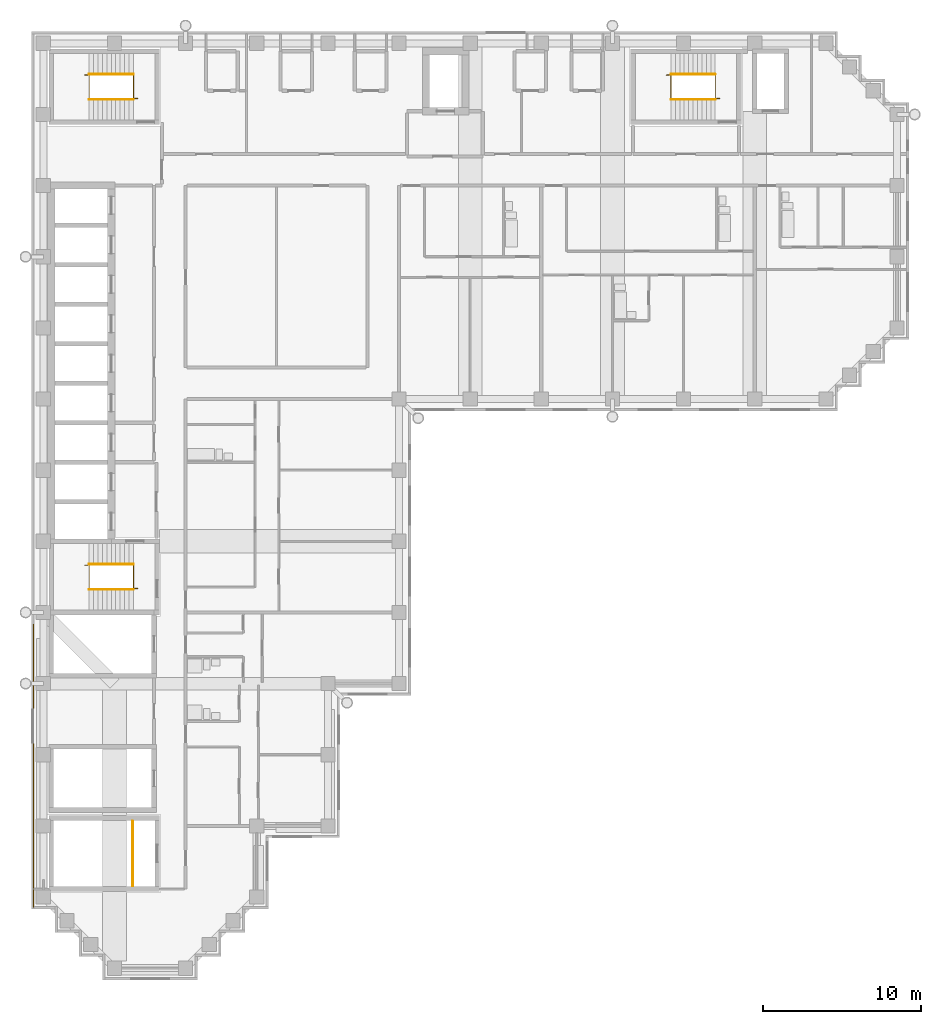
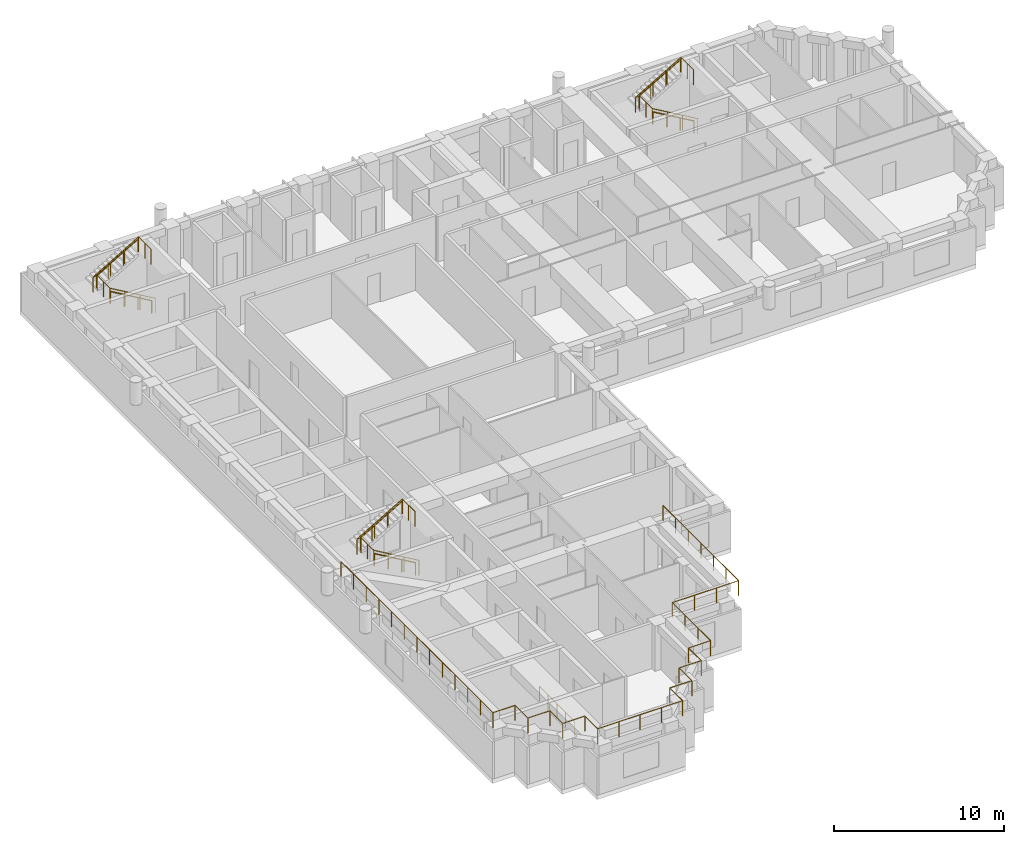
# One storey, part 10 of 11: 11 railings.
"""IFC4 building model written with IfcOpenShell, lengths in metres."""

from ifc_helpers import new_model, si_unit, direction, frame, origin, origin_2d, place, context, subcontext, project, spatial, circle, extrude, material, type_object, element, save


model = new_model("IFC4")

# Units and contexts
model_context = context("Model", 3, precision=1e-05, world=origin(), true_north=direction((0.0, 1.0)))
body_context = subcontext(model_context, "Body", "Model", "MODEL_VIEW")
ifc_project = project(units=[si_unit("LENGTHUNIT", "METRE"), si_unit("AREAUNIT", "SQUARE_METRE"), si_unit("VOLUMEUNIT", "CUBIC_METRE"), si_unit("PLANEANGLEUNIT", "RADIAN"), si_unit("MASSUNIT", "GRAM", prefix="KILO")], contexts=[model_context])

# Site, building, storey
site_placement = place(None, origin())
site = spatial("IfcSite", under=ifc_project, at=site_placement, CompositionType="ELEMENT")
building_placement = place(site_placement, origin())
building = spatial("IfcBuilding", under=site, at=building_placement, Name="Firuza Court", CompositionType="ELEMENT")
storey_placement = place(building_placement, frame((0.0, 0.0, 207.800048828125)))
storey = spatial("IfcBuildingStorey", under=building, at=storey_placement, Name="L53", CompositionType="ELEMENT", Elevation=207.800048828125)

# Railings
ifc_material_1 = material(Name="Steel S355", Category="steel")
railing_type_1 = type_object("IfcRailingType", Name="Handrail 900", PredefinedType="HANDRAIL", material=ifc_material_1)
railing_1_placement = place(storey_placement, frame((42.5, 54.949951171875, 0.16357421875)))
element("IfcRailing", 1, at=railing_1_placement, inside=storey, type_object=railing_type_1, Name="Handrail S1 flight 1", PredefinedType="HANDRAIL", context=body_context, shape_type="SweptSolid", body=[
    extrude(circle(Radius=0.02490234375, at=origin_2d()), frame((0.0, 0.0, 0.875), z_axis=(-0.863360870873, 0.0, 0.504586966384), x_axis=(0.0, -1.0, 0.0)), (0.0, 0.0, 1.0), 3.2431640625),
    extrude(circle(Radius=0.02001953125, at=origin_2d()), origin(), (0.0, 0.0, 1.0), 0.849853515625),
    extrude(circle(Radius=0.02001953125, at=origin_2d()), frame((-0.933349609375, 0.0, 0.54541015625)), (0.0, 0.0, 1.0), 0.849853515625),
    extrude(circle(Radius=0.02001953125, at=origin_2d()), frame((-1.86669921875, 0.0, 1.091064453125)), (0.0, 0.0, 1.0), 0.849853515625),
    extrude(circle(Radius=0.02001953125, at=origin_2d()), frame((-2.800048828125, 0.0, 1.636474609375)), (0.0, 0.0, 1.0), 0.849853515625),
])
railing_2_placement = place(storey_placement, frame((39.699951171875, 56.550048828125, 1.963623046875)))
element("IfcRailing", 2, at=railing_2_placement, inside=storey, type_object=railing_type_1, Name="Handrail S1 flight 2", PredefinedType="HANDRAIL", context=body_context, shape_type="SweptSolid", body=[
    extrude(circle(Radius=0.02490234375, at=origin_2d()), frame((0.0, 0.0, 0.875), z_axis=(0.863393664356, 0.0, 0.504530851732), x_axis=(0.0, 1.0, 0.0)), (0.0, 0.0, 1.0), 3.2431640625),
    extrude(circle(Radius=0.02001953125, at=origin_2d()), origin(), (0.0, 0.0, 1.0), 0.849853515625),
    extrude(circle(Radius=0.02001953125, at=origin_2d()), frame((0.933349609375, 0.0, 0.54541015625)), (0.0, 0.0, 1.0), 0.849853515625),
    extrude(circle(Radius=0.02001953125, at=origin_2d()), frame((1.86669921875, 0.0, 1.0908203125)), (0.0, 0.0, 1.0), 0.849853515625),
    extrude(circle(Radius=0.02001953125, at=origin_2d()), frame((2.800048828125, 0.0, 1.63623046875)), (0.0, 0.0, 1.0), 0.849853515625),
])
railing_3_placement = place(storey_placement, frame((5.699951171875, 23.949951171875, 0.16357421875)))
element("IfcRailing", 3, at=railing_3_placement, inside=storey, type_object=railing_type_1, Name="Handrail S2 flight 1", PredefinedType="HANDRAIL", context=body_context, shape_type="SweptSolid", body=[
    extrude(circle(Radius=0.02490234375, at=origin_2d()), frame((0.0, 0.0, 0.875), z_axis=(-0.863360870873, 0.0, 0.504586966384), x_axis=(0.0, -1.0, 0.0)), (0.0, 0.0, 1.0), 3.2431640625),
    extrude(circle(Radius=0.02001953125, at=origin_2d()), origin(), (0.0, 0.0, 1.0), 0.849853515625),
    extrude(circle(Radius=0.02001953125, at=origin_2d()), frame((-0.933349609375, 0.0, 0.54541015625)), (0.0, 0.0, 1.0), 0.849853515625),
    extrude(circle(Radius=0.02001953125, at=origin_2d()), frame((-1.86669921875, 0.0, 1.091064453125)), (0.0, 0.0, 1.0), 0.849853515625),
    extrude(circle(Radius=0.02001953125, at=origin_2d()), frame((-2.800048828125, 0.0, 1.636474609375)), (0.0, 0.0, 1.0), 0.849853515625),
])
railing_4_placement = place(storey_placement, frame((2.89990234375, 25.550048828125, 1.963623046875)))
element("IfcRailing", 4, at=railing_4_placement, inside=storey, type_object=railing_type_1, Name="Handrail S2 flight 2", PredefinedType="HANDRAIL", context=body_context, shape_type="SweptSolid", body=[
    extrude(circle(Radius=0.02490234375, at=origin_2d()), frame((0.0, 0.0, 0.875), z_axis=(0.863393664356, 0.0, 0.504530851732), x_axis=(0.0, 1.0, 0.0)), (0.0, 0.0, 1.0), 3.2431640625),
    extrude(circle(Radius=0.02001953125, at=origin_2d()), origin(), (0.0, 0.0, 1.0), 0.849853515625),
    extrude(circle(Radius=0.02001953125, at=origin_2d()), frame((0.933349609375, 0.0, 0.54541015625)), (0.0, 0.0, 1.0), 0.849853515625),
    extrude(circle(Radius=0.02001953125, at=origin_2d()), frame((1.86669921875, 0.0, 1.0908203125)), (0.0, 0.0, 1.0), 0.849853515625),
    extrude(circle(Radius=0.02001953125, at=origin_2d()), frame((2.800048828125, 0.0, 1.63623046875)), (0.0, 0.0, 1.0), 0.849853515625),
])
railing_5_placement = place(storey_placement, frame((5.699951171875, 54.949951171875, 0.16357421875)))
element("IfcRailing", 5, at=railing_5_placement, inside=storey, type_object=railing_type_1, Name="Handrail S3 flight 1", PredefinedType="HANDRAIL", context=body_context, shape_type="SweptSolid", body=[
    extrude(circle(Radius=0.02490234375, at=origin_2d()), frame((0.0, 0.0, 0.875), z_axis=(-0.863360870873, 0.0, 0.504586966384), x_axis=(0.0, -1.0, 0.0)), (0.0, 0.0, 1.0), 3.2431640625),
    extrude(circle(Radius=0.02001953125, at=origin_2d()), origin(), (0.0, 0.0, 1.0), 0.849853515625),
    extrude(circle(Radius=0.02001953125, at=origin_2d()), frame((-0.933349609375, 0.0, 0.54541015625)), (0.0, 0.0, 1.0), 0.849853515625),
    extrude(circle(Radius=0.02001953125, at=origin_2d()), frame((-1.86669921875, 0.0, 1.091064453125)), (0.0, 0.0, 1.0), 0.849853515625),
    extrude(circle(Radius=0.02001953125, at=origin_2d()), frame((-2.800048828125, 0.0, 1.636474609375)), (0.0, 0.0, 1.0), 0.849853515625),
])
railing_6_placement = place(storey_placement, frame((2.89990234375, 56.550048828125, 1.963623046875)))
element("IfcRailing", 6, at=railing_6_placement, inside=storey, type_object=railing_type_1, Name="Handrail S3 flight 2", PredefinedType="HANDRAIL", context=body_context, shape_type="SweptSolid", body=[
    extrude(circle(Radius=0.02490234375, at=origin_2d()), frame((0.0, 0.0, 0.875), z_axis=(0.863393664356, 0.0, 0.504530851732), x_axis=(0.0, 1.0, 0.0)), (0.0, 0.0, 1.0), 3.2431640625),
    extrude(circle(Radius=0.02001953125, at=origin_2d()), origin(), (0.0, 0.0, 1.0), 0.849853515625),
    extrude(circle(Radius=0.02001953125, at=origin_2d()), frame((0.933349609375, 0.0, 0.54541015625)), (0.0, 0.0, 1.0), 0.849853515625),
    extrude(circle(Radius=0.02001953125, at=origin_2d()), frame((1.86669921875, 0.0, 1.0908203125)), (0.0, 0.0, 1.0), 0.849853515625),
    extrude(circle(Radius=0.02001953125, at=origin_2d()), frame((2.800048828125, 0.0, 1.63623046875)), (0.0, 0.0, 1.0), 0.849853515625),
])
ifc_material_2 = material(Name="Steel S355", Category="steel")
railing_type_2 = type_object("IfcRailingType", Name="Stair guard 1100", PredefinedType="GUARDRAIL", material=ifc_material_2)
railing_7_placement = place(storey_placement, frame((5.64990234375, 5.199951171875, 0.0)))
element("IfcRailing", 7, at=railing_7_placement, inside=storey, type_object=railing_type_2, Name="Stair guard S5", PredefinedType="GUARDRAIL", context=body_context, shape_type="SweptSolid", body=[
    extrude(circle(Radius=0.02490234375, at=origin_2d()), frame((0.0, 0.0, 1.0751953125), z_axis=(0.0, 1.0, 0.0), x_axis=(-1.0, 0.0, 0.0)), (0.0, 0.0, 1.0), 4.10009765625),
    extrude(circle(Radius=0.02490234375, at=origin_2d()), origin(), (0.0, 0.0, 1.0), 1.050048828125),
    extrude(circle(Radius=0.02490234375, at=origin_2d()), frame((0.0, 1.02490234375, 0.0)), (0.0, 0.0, 1.0), 1.050048828125),
    extrude(circle(Radius=0.02490234375, at=origin_2d()), frame((0.0, 2.050048828125, 0.0)), (0.0, 0.0, 1.0), 1.050048828125),
    extrude(circle(Radius=0.02490234375, at=origin_2d()), frame((0.0, 3.0751953125, 0.0)), (0.0, 0.0, 1.0), 1.050048828125),
    extrude(circle(Radius=0.02490234375, at=origin_2d()), frame((0.0, 4.10009765625, 0.0)), (0.0, 0.0, 1.0), 1.050048828125),
])
railing_8_placement = place(storey_placement, frame((42.780029296875, 55.010009765625, 0.0)))
element("IfcRailing", 8, at=railing_8_placement, inside=storey, type_object=railing_type_2, Name="Stair well guard S1", PredefinedType="GUARDRAIL", context=body_context, shape_type="SweptSolid", body=[
    extrude(circle(Radius=0.02490234375, at=origin_2d()), frame((0.0, 0.0, 1.0751953125), z_axis=(-0.863371556955, 0.0, 0.504568681787), x_axis=(0.0, -1.0, 0.0)), (0.0, 0.0, 1.0), 3.5673828125),
    extrude(circle(Radius=0.02490234375, at=origin_2d()), frame((-3.080078125, 0.0, 2.875), z_axis=(0.0, 1.0, 0.0), x_axis=(-1.0, 0.0, 0.0)), (0.0, 0.0, 1.0), 1.47998046875),
    extrude(circle(Radius=0.02490234375, at=origin_2d()), frame((-3.080078125, 1.47998046875, 2.875), z_axis=(-1.0, 0.0, 0.0), x_axis=(0.0, -1.0, 0.0)), (0.0, 0.0, 1.0), 0.280029296875),
    extrude(circle(Radius=0.02490234375, at=origin_2d()), frame((-3.360107421875, 1.47998046875, 2.875), z_axis=(0.863401368682, 0.0, 0.504517667242), x_axis=(0.0, 1.0, 0.0)), (0.0, 0.0, 1.0), 3.5673828125),
    extrude(circle(Radius=0.02490234375, at=origin_2d()), frame((-0.280029296875, 1.47998046875, 4.6748046875), z_axis=(0.0, -1.0, 0.0), x_axis=(1.0, 0.0, 0.0)), (0.0, 0.0, 1.0), 1.47998046875),
    extrude(circle(Radius=0.02490234375, at=origin_2d()), origin(), (0.0, 0.0, 1.0), 1.050048828125),
    extrude(circle(Radius=0.02490234375, at=origin_2d()), frame((-1.026611328125, 0.0, 0.60009765625)), (0.0, 0.0, 1.0), 1.050048828125),
    extrude(circle(Radius=0.02490234375, at=origin_2d()), frame((-2.053466796875, 0.0, 1.199951171875)), (0.0, 0.0, 1.0), 1.050048828125),
    extrude(circle(Radius=0.02490234375, at=origin_2d()), frame((-3.080078125, 0.0, 1.800048828125)), (0.0, 0.0, 1.0), 1.050048828125),
    extrude(circle(Radius=0.02490234375, at=origin_2d()), frame((-3.080078125, 0.739990234375, 1.800048828125)), (0.0, 0.0, 1.0), 1.050048828125),
    extrude(circle(Radius=0.02490234375, at=origin_2d()), frame((-3.080078125, 1.47998046875, 1.800048828125)), (0.0, 0.0, 1.0), 1.050048828125),
    extrude(circle(Radius=0.02490234375, at=origin_2d()), frame((-3.360107421875, 1.47998046875, 1.800048828125)), (0.0, 0.0, 1.0), 1.050048828125),
    extrude(circle(Radius=0.02490234375, at=origin_2d()), frame((-2.33349609375, 1.47998046875, 2.39990234375)), (0.0, 0.0, 1.0), 1.050048828125),
    extrude(circle(Radius=0.02490234375, at=origin_2d()), frame((-1.306640625, 1.47998046875, 3.0)), (0.0, 0.0, 1.0), 1.050048828125),
    extrude(circle(Radius=0.02490234375, at=origin_2d()), frame((-0.280029296875, 1.47998046875, 3.599853515625)), (0.0, 0.0, 1.0), 1.050048828125),
    extrude(circle(Radius=0.02490234375, at=origin_2d()), frame((-0.280029296875, 0.739990234375, 3.599853515625)), (0.0, 0.0, 1.0), 1.050048828125),
    extrude(circle(Radius=0.02490234375, at=origin_2d()), frame((-0.280029296875, 0.0, 3.599853515625)), (0.0, 0.0, 1.0), 1.050048828125),
])
railing_9_placement = place(storey_placement, frame((5.97998046875, 24.010009765625, 0.0)))
element("IfcRailing", 9, at=railing_9_placement, inside=storey, type_object=railing_type_2, Name="Stair well guard S2", PredefinedType="GUARDRAIL", context=body_context, shape_type="SweptSolid", body=[
    extrude(circle(Radius=0.02490234375, at=origin_2d()), frame((0.0, 0.0, 1.0751953125), z_axis=(-0.863371556955, 0.0, 0.504568681787), x_axis=(0.0, -1.0, 0.0)), (0.0, 0.0, 1.0), 3.5673828125),
    extrude(circle(Radius=0.02490234375, at=origin_2d()), frame((-3.080078125, 0.0, 2.875), z_axis=(0.0, 1.0, 0.0), x_axis=(-1.0, 0.0, 0.0)), (0.0, 0.0, 1.0), 1.47998046875),
    extrude(circle(Radius=0.02490234375, at=origin_2d()), frame((-3.080078125, 1.47998046875, 2.875), z_axis=(-1.0, 0.0, 0.0), x_axis=(0.0, -1.0, 0.0)), (0.0, 0.0, 1.0), 0.27978515625),
    extrude(circle(Radius=0.02490234375, at=origin_2d()), frame((-3.35986328125, 1.47998046875, 2.875), z_axis=(0.863383947312, 0.0, 0.504547479951), x_axis=(0.0, 1.0, 0.0)), (0.0, 0.0, 1.0), 3.567138671875),
    extrude(circle(Radius=0.02490234375, at=origin_2d()), frame((-0.280029296875, 1.47998046875, 4.6748046875), z_axis=(0.0, -1.0, 0.0), x_axis=(1.0, 0.0, 0.0)), (0.0, 0.0, 1.0), 1.47998046875),
    extrude(circle(Radius=0.02490234375, at=origin_2d()), origin(), (0.0, 0.0, 1.0), 1.050048828125),
    extrude(circle(Radius=0.02490234375, at=origin_2d()), frame((-1.026611328125, 0.0, 0.60009765625)), (0.0, 0.0, 1.0), 1.050048828125),
    extrude(circle(Radius=0.02490234375, at=origin_2d()), frame((-2.053466796875, 0.0, 1.199951171875)), (0.0, 0.0, 1.0), 1.050048828125),
    extrude(circle(Radius=0.02490234375, at=origin_2d()), frame((-3.080078125, 0.0, 1.800048828125)), (0.0, 0.0, 1.0), 1.050048828125),
    extrude(circle(Radius=0.02490234375, at=origin_2d()), frame((-3.080078125, 0.739990234375, 1.800048828125)), (0.0, 0.0, 1.0), 1.050048828125),
    extrude(circle(Radius=0.02490234375, at=origin_2d()), frame((-3.080078125, 1.47998046875, 1.800048828125)), (0.0, 0.0, 1.0), 1.050048828125),
    extrude(circle(Radius=0.02490234375, at=origin_2d()), frame((-3.35986328125, 1.47998046875, 1.800048828125)), (0.0, 0.0, 1.0), 1.050048828125),
    extrude(circle(Radius=0.02490234375, at=origin_2d()), frame((-2.333251953125, 1.47998046875, 2.39990234375)), (0.0, 0.0, 1.0), 1.050048828125),
    extrude(circle(Radius=0.02490234375, at=origin_2d()), frame((-1.306640625, 1.47998046875, 3.0)), (0.0, 0.0, 1.0), 1.050048828125),
    extrude(circle(Radius=0.02490234375, at=origin_2d()), frame((-0.280029296875, 1.47998046875, 3.599853515625)), (0.0, 0.0, 1.0), 1.050048828125),
    extrude(circle(Radius=0.02490234375, at=origin_2d()), frame((-0.280029296875, 0.739990234375, 3.599853515625)), (0.0, 0.0, 1.0), 1.050048828125),
    extrude(circle(Radius=0.02490234375, at=origin_2d()), frame((-0.280029296875, 0.0, 3.599853515625)), (0.0, 0.0, 1.0), 1.050048828125),
])
railing_10_placement = place(storey_placement, frame((5.97998046875, 55.010009765625, 0.0)))
element("IfcRailing", 10, at=railing_10_placement, inside=storey, type_object=railing_type_2, Name="Stair well guard S3", PredefinedType="GUARDRAIL", context=body_context, shape_type="SweptSolid", body=[
    extrude(circle(Radius=0.02490234375, at=origin_2d()), frame((0.0, 0.0, 1.0751953125), z_axis=(-0.863371556955, 0.0, 0.504568681787), x_axis=(0.0, -1.0, 0.0)), (0.0, 0.0, 1.0), 3.5673828125),
    extrude(circle(Radius=0.02490234375, at=origin_2d()), frame((-3.080078125, 0.0, 2.875), z_axis=(0.0, 1.0, 0.0), x_axis=(-1.0, 0.0, 0.0)), (0.0, 0.0, 1.0), 1.47998046875),
    extrude(circle(Radius=0.02490234375, at=origin_2d()), frame((-3.080078125, 1.47998046875, 2.875), z_axis=(-1.0, 0.0, 0.0), x_axis=(0.0, -1.0, 0.0)), (0.0, 0.0, 1.0), 0.27978515625),
    extrude(circle(Radius=0.02490234375, at=origin_2d()), frame((-3.35986328125, 1.47998046875, 2.875), z_axis=(0.863383947312, 0.0, 0.504547479951), x_axis=(0.0, 1.0, 0.0)), (0.0, 0.0, 1.0), 3.567138671875),
    extrude(circle(Radius=0.02490234375, at=origin_2d()), frame((-0.280029296875, 1.47998046875, 4.6748046875), z_axis=(0.0, -1.0, 0.0), x_axis=(1.0, 0.0, 0.0)), (0.0, 0.0, 1.0), 1.47998046875),
    extrude(circle(Radius=0.02490234375, at=origin_2d()), origin(), (0.0, 0.0, 1.0), 1.050048828125),
    extrude(circle(Radius=0.02490234375, at=origin_2d()), frame((-1.026611328125, 0.0, 0.60009765625)), (0.0, 0.0, 1.0), 1.050048828125),
    extrude(circle(Radius=0.02490234375, at=origin_2d()), frame((-2.053466796875, 0.0, 1.199951171875)), (0.0, 0.0, 1.0), 1.050048828125),
    extrude(circle(Radius=0.02490234375, at=origin_2d()), frame((-3.080078125, 0.0, 1.800048828125)), (0.0, 0.0, 1.0), 1.050048828125),
    extrude(circle(Radius=0.02490234375, at=origin_2d()), frame((-3.080078125, 0.739990234375, 1.800048828125)), (0.0, 0.0, 1.0), 1.050048828125),
    extrude(circle(Radius=0.02490234375, at=origin_2d()), frame((-3.080078125, 1.47998046875, 1.800048828125)), (0.0, 0.0, 1.0), 1.050048828125),
    extrude(circle(Radius=0.02490234375, at=origin_2d()), frame((-3.35986328125, 1.47998046875, 1.800048828125)), (0.0, 0.0, 1.0), 1.050048828125),
    extrude(circle(Radius=0.02490234375, at=origin_2d()), frame((-2.333251953125, 1.47998046875, 2.39990234375)), (0.0, 0.0, 1.0), 1.050048828125),
    extrude(circle(Radius=0.02490234375, at=origin_2d()), frame((-1.306640625, 1.47998046875, 3.0)), (0.0, 0.0, 1.0), 1.050048828125),
    extrude(circle(Radius=0.02490234375, at=origin_2d()), frame((-0.280029296875, 1.47998046875, 3.599853515625)), (0.0, 0.0, 1.0), 1.050048828125),
    extrude(circle(Radius=0.02490234375, at=origin_2d()), frame((-0.280029296875, 0.739990234375, 3.599853515625)), (0.0, 0.0, 1.0), 1.050048828125),
    extrude(circle(Radius=0.02490234375, at=origin_2d()), frame((-0.280029296875, 0.0, 3.599853515625)), (0.0, 0.0, 1.0), 1.050048828125),
])
ifc_material_3 = material(Name="Stainless steel 1.4301", Category="steel")
railing_type_3 = type_object("IfcRailingType", Name="Terrace guard 1100", PredefinedType="GUARDRAIL", material=ifc_material_3)
railing_11_placement = place(storey_placement, frame((18.6298828125, 17.25, 3.599853515625)))
element("IfcRailing", 11, at=railing_11_placement, inside=storey, type_object=railing_type_3, Name="GUARD L53 terrace", PredefinedType="GUARDRAIL", context=body_context, shape_type="SweptSolid", body=[
    extrude(circle(Radius=0.02490234375, at=origin_2d()), frame((0.0, 0.0, 1.0751953125), z_axis=(0.0, -1.0, 0.0), x_axis=(1.0, 0.0, 0.0)), (0.0, 0.0, 1.0), 8.8798828125),
    extrude(circle(Radius=0.02490234375, at=origin_2d()), frame((0.0, -8.8798828125, 1.0751953125), z_axis=(-1.0, 0.0, 0.0), x_axis=(0.0, -1.0, 0.0)), (0.0, 0.0, 1.0), 4.5),
    extrude(circle(Radius=0.02490234375, at=origin_2d()), frame((-4.5, -8.8798828125, 1.0751953125), z_axis=(0.0, -1.0, 0.0), x_axis=(1.0, 0.0, 0.0)), (0.0, 0.0, 1.0), 4.5),
    extrude(circle(Radius=0.02490234375, at=origin_2d()), frame((-4.5, -13.3798828125, 1.0751953125), z_axis=(-1.0, 0.0, 0.0), x_axis=(0.0, -1.0, 0.0)), (0.0, 0.0, 1.0), 1.5),
    extrude(circle(Radius=0.02490234375, at=origin_2d()), frame((-6.0, -13.3798828125, 1.0751953125), z_axis=(0.0, -1.0, 0.0), x_axis=(1.0, 0.0, 0.0)), (0.0, 0.0, 1.0), 1.5),
    extrude(circle(Radius=0.02490234375, at=origin_2d()), frame((-6.0, -14.8798828125, 1.0751953125), z_axis=(-1.0, 0.0, 0.0), x_axis=(0.0, -1.0, 0.0)), (0.0, 0.0, 1.0), 1.5),
    extrude(circle(Radius=0.02490234375, at=origin_2d()), frame((-7.5, -14.8798828125, 1.0751953125), z_axis=(0.0, -1.0, 0.0), x_axis=(1.0, 0.0, 0.0)), (0.0, 0.0, 1.0), 1.5),
    extrude(circle(Radius=0.02490234375, at=origin_2d()), frame((-7.5, -16.3798828125, 1.0751953125), z_axis=(-1.0, 0.0, 0.0), x_axis=(0.0, -1.0, 0.0)), (0.0, 0.0, 1.0), 1.5),
    extrude(circle(Radius=0.02490234375, at=origin_2d()), frame((-9.0, -16.3798828125, 1.0751953125), z_axis=(0.0, -1.0, 0.0), x_axis=(1.0, 0.0, 0.0)), (0.0, 0.0, 1.0), 1.5),
    extrude(circle(Radius=0.02490234375, at=origin_2d()), frame((-9.0, -17.8798828125, 1.0751953125), z_axis=(-1.0, 0.0, 0.0), x_axis=(0.0, -1.0, 0.0)), (0.0, 0.0, 1.0), 5.759765625),
    extrude(circle(Radius=0.02490234375, at=origin_2d()), frame((-14.759765625, -17.8798828125, 1.0751953125), z_axis=(0.0, 1.0, 0.0), x_axis=(-1.0, 0.0, 0.0)), (0.0, 0.0, 1.0), 1.5),
    extrude(circle(Radius=0.02490234375, at=origin_2d()), frame((-14.759765625, -16.3798828125, 1.0751953125), z_axis=(-1.0, 0.0, 0.0), x_axis=(0.0, -1.0, 0.0)), (0.0, 0.0, 1.0), 1.5),
    extrude(circle(Radius=0.02490234375, at=origin_2d()), frame((-16.259765625, -16.3798828125, 1.0751953125), z_axis=(0.0, 1.0, 0.0), x_axis=(-1.0, 0.0, 0.0)), (0.0, 0.0, 1.0), 1.5),
    extrude(circle(Radius=0.02490234375, at=origin_2d()), frame((-16.259765625, -14.8798828125, 1.0751953125), z_axis=(-1.0, 0.0, 0.0), x_axis=(0.0, -1.0, 0.0)), (0.0, 0.0, 1.0), 1.5),
    extrude(circle(Radius=0.02490234375, at=origin_2d()), frame((-17.759765625, -14.8798828125, 1.0751953125), z_axis=(0.0, 1.0, 0.0), x_axis=(-1.0, 0.0, 0.0)), (0.0, 0.0, 1.0), 1.5),
    extrude(circle(Radius=0.02490234375, at=origin_2d()), frame((-17.759765625, -13.3798828125, 1.0751953125), z_axis=(-1.0, 0.0, 0.0), x_axis=(0.0, -1.0, 0.0)), (0.0, 0.0, 1.0), 1.5),
    extrude(circle(Radius=0.02490234375, at=origin_2d()), frame((-19.259765625, -13.3798828125, 1.0751953125), z_axis=(0.0, 1.0, 0.0), x_axis=(-1.0, 0.0, 0.0)), (0.0, 0.0, 1.0), 17.8798828125),
    extrude(circle(Radius=0.02490234375, at=origin_2d()), origin(), (0.0, 0.0, 1.0), 1.050048828125),
    extrude(circle(Radius=0.02490234375, at=origin_2d()), frame((0.0, -1.47998046875, 0.0)), (0.0, 0.0, 1.0), 1.050048828125),
    extrude(circle(Radius=0.02490234375, at=origin_2d()), frame((0.0, -2.9599609375, 0.0)), (0.0, 0.0, 1.0), 1.050048828125),
    extrude(circle(Radius=0.02490234375, at=origin_2d()), frame((0.0, -4.43994140625, 0.0)), (0.0, 0.0, 1.0), 1.050048828125),
    extrude(circle(Radius=0.02490234375, at=origin_2d()), frame((0.0, -5.919921875, 0.0)), (0.0, 0.0, 1.0), 1.050048828125),
    extrude(circle(Radius=0.02490234375, at=origin_2d()), frame((0.0, -7.39990234375, 0.0)), (0.0, 0.0, 1.0), 1.050048828125),
    extrude(circle(Radius=0.02490234375, at=origin_2d()), frame((0.0, -8.8798828125, 0.0)), (0.0, 0.0, 1.0), 1.050048828125),
    extrude(circle(Radius=0.02490234375, at=origin_2d()), frame((-1.5, -8.8798828125, 0.0)), (0.0, 0.0, 1.0), 1.050048828125),
    extrude(circle(Radius=0.02490234375, at=origin_2d()), frame((-3.0, -8.8798828125, 0.0)), (0.0, 0.0, 1.0), 1.050048828125),
    extrude(circle(Radius=0.02490234375, at=origin_2d()), frame((-4.5, -8.8798828125, 0.0)), (0.0, 0.0, 1.0), 1.050048828125),
    extrude(circle(Radius=0.02490234375, at=origin_2d()), frame((-4.5, -10.3798828125, 0.0)), (0.0, 0.0, 1.0), 1.050048828125),
    extrude(circle(Radius=0.02490234375, at=origin_2d()), frame((-4.5, -11.8798828125, 0.0)), (0.0, 0.0, 1.0), 1.050048828125),
    extrude(circle(Radius=0.02490234375, at=origin_2d()), frame((-4.5, -13.3798828125, 0.0)), (0.0, 0.0, 1.0), 1.050048828125),
    extrude(circle(Radius=0.02490234375, at=origin_2d()), frame((-6.0, -13.3798828125, 0.0)), (0.0, 0.0, 1.0), 1.050048828125),
    extrude(circle(Radius=0.02490234375, at=origin_2d()), frame((-6.0, -14.8798828125, 0.0)), (0.0, 0.0, 1.0), 1.050048828125),
    extrude(circle(Radius=0.02490234375, at=origin_2d()), frame((-7.5, -14.8798828125, 0.0)), (0.0, 0.0, 1.0), 1.050048828125),
    extrude(circle(Radius=0.02490234375, at=origin_2d()), frame((-7.5, -16.3798828125, 0.0)), (0.0, 0.0, 1.0), 1.050048828125),
    extrude(circle(Radius=0.02490234375, at=origin_2d()), frame((-9.0, -16.3798828125, 0.0)), (0.0, 0.0, 1.0), 1.050048828125),
    extrude(circle(Radius=0.02490234375, at=origin_2d()), frame((-9.0, -17.8798828125, 0.0)), (0.0, 0.0, 1.0), 1.050048828125),
    extrude(circle(Radius=0.02490234375, at=origin_2d()), frame((-10.43994140625, -17.8798828125, 0.0)), (0.0, 0.0, 1.0), 1.050048828125),
    extrude(circle(Radius=0.02490234375, at=origin_2d()), frame((-11.8798828125, -17.8798828125, 0.0)), (0.0, 0.0, 1.0), 1.050048828125),
    extrude(circle(Radius=0.02490234375, at=origin_2d()), frame((-13.31982421875, -17.8798828125, 0.0)), (0.0, 0.0, 1.0), 1.050048828125),
    extrude(circle(Radius=0.02490234375, at=origin_2d()), frame((-14.759765625, -17.8798828125, 0.0)), (0.0, 0.0, 1.0), 1.050048828125),
    extrude(circle(Radius=0.02490234375, at=origin_2d()), frame((-14.759765625, -16.3798828125, 0.0)), (0.0, 0.0, 1.0), 1.050048828125),
    extrude(circle(Radius=0.02490234375, at=origin_2d()), frame((-16.259765625, -16.3798828125, 0.0)), (0.0, 0.0, 1.0), 1.050048828125),
    extrude(circle(Radius=0.02490234375, at=origin_2d()), frame((-16.259765625, -14.8798828125, 0.0)), (0.0, 0.0, 1.0), 1.050048828125),
    extrude(circle(Radius=0.02490234375, at=origin_2d()), frame((-17.759765625, -14.8798828125, 0.0)), (0.0, 0.0, 1.0), 1.050048828125),
    extrude(circle(Radius=0.02490234375, at=origin_2d()), frame((-17.759765625, -13.3798828125, 0.0)), (0.0, 0.0, 1.0), 1.050048828125),
    extrude(circle(Radius=0.02490234375, at=origin_2d()), frame((-19.259765625, -13.3798828125, 0.0)), (0.0, 0.0, 1.0), 1.050048828125),
    extrude(circle(Radius=0.02490234375, at=origin_2d()), frame((-19.259765625, -11.889892578125, 0.0)), (0.0, 0.0, 1.0), 1.050048828125),
    extrude(circle(Radius=0.02490234375, at=origin_2d()), frame((-19.259765625, -10.39990234375, 0.0)), (0.0, 0.0, 1.0), 1.050048828125),
    extrude(circle(Radius=0.02490234375, at=origin_2d()), frame((-19.259765625, -8.909912109375, 0.0)), (0.0, 0.0, 1.0), 1.050048828125),
    extrude(circle(Radius=0.02490234375, at=origin_2d()), frame((-19.259765625, -7.419921875, 0.0)), (0.0, 0.0, 1.0), 1.050048828125),
    extrude(circle(Radius=0.02490234375, at=origin_2d()), frame((-19.259765625, -5.929931640625, 0.0)), (0.0, 0.0, 1.0), 1.050048828125),
    extrude(circle(Radius=0.02490234375, at=origin_2d()), frame((-19.259765625, -4.43994140625, 0.0)), (0.0, 0.0, 1.0), 1.050048828125),
    extrude(circle(Radius=0.02490234375, at=origin_2d()), frame((-19.259765625, -2.949951171875, 0.0)), (0.0, 0.0, 1.0), 1.050048828125),
    extrude(circle(Radius=0.02490234375, at=origin_2d()), frame((-19.259765625, -1.4599609375, 0.0)), (0.0, 0.0, 1.0), 1.050048828125),
    extrude(circle(Radius=0.02490234375, at=origin_2d()), frame((-19.259765625, 0.030029296875, 0.0)), (0.0, 0.0, 1.0), 1.050048828125),
    extrude(circle(Radius=0.02490234375, at=origin_2d()), frame((-19.259765625, 1.52001953125, 0.0)), (0.0, 0.0, 1.0), 1.050048828125),
    extrude(circle(Radius=0.02490234375, at=origin_2d()), frame((-19.259765625, 3.010009765625, 0.0)), (0.0, 0.0, 1.0), 1.050048828125),
    extrude(circle(Radius=0.02490234375, at=origin_2d()), frame((-19.259765625, 4.5, 0.0)), (0.0, 0.0, 1.0), 1.050048828125),
])

save(model, "model.ifc")
